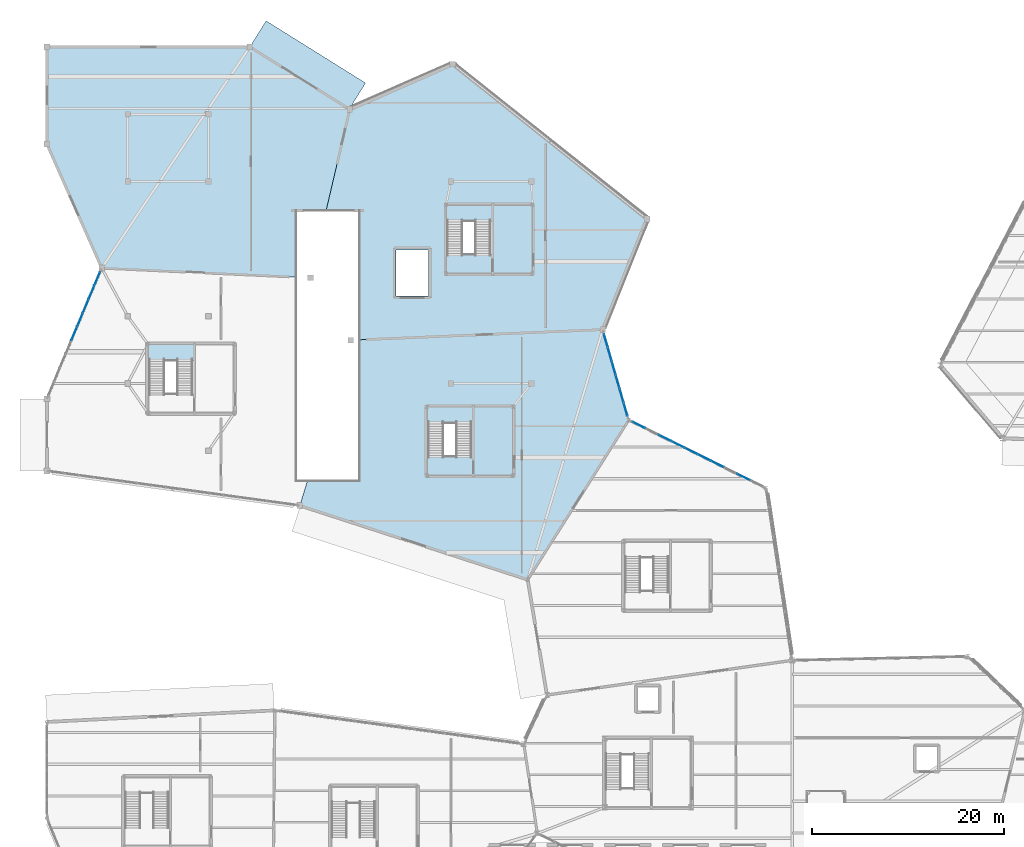
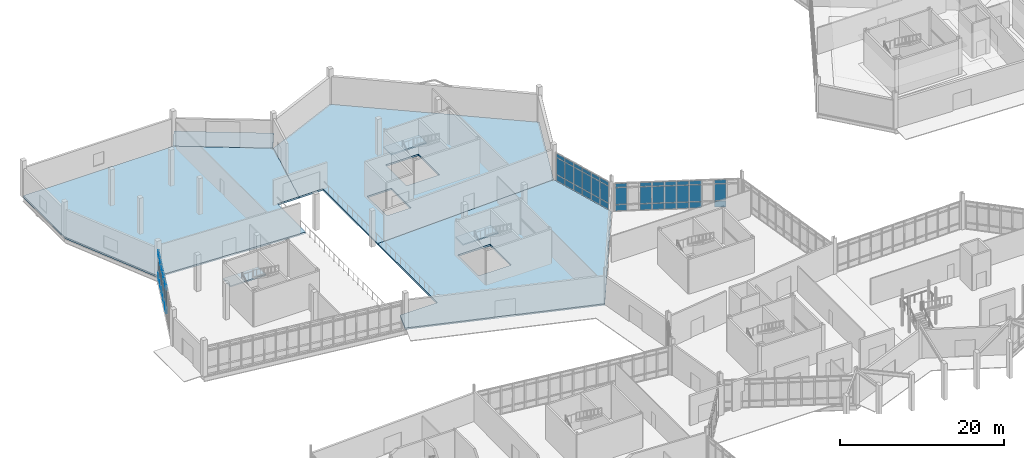
# One storey, part 76 of 113: 54 plates, 7 slabs, 6 elements without a shape of their own.
"""IFC4 building model written with IfcOpenShell, lengths in metres."""

from ifc_helpers import new_model, si_unit, direction, frame, origin, origin_2d, place, context, subcontext, project, spatial, polyline, rectangle, outline, extrude, material, layer, layer_set, type_object, element, aggregate, save


model = new_model("IFC4")

# Units and contexts
model_context = context("Model", 3, precision=1e-05, world=origin(), true_north=direction((0.0, 1.0)))
body_context = subcontext(model_context, "Body", "Model", "MODEL_VIEW")
ifc_project = project(units=[si_unit("LENGTHUNIT", "METRE"), si_unit("AREAUNIT", "SQUARE_METRE"), si_unit("VOLUMEUNIT", "CUBIC_METRE"), si_unit("PLANEANGLEUNIT", "RADIAN"), si_unit("MASSUNIT", "GRAM", prefix="KILO")], contexts=[model_context])

# Site, building, storey
site_placement = place(None, origin())
site = spatial("IfcSite", under=ifc_project, at=site_placement, CompositionType="ELEMENT")
building_placement = place(site_placement, origin())
building = spatial("IfcBuilding", under=site, at=building_placement, Name="Tameran Prism Museum", CompositionType="ELEMENT")
storey_placement = place(building_placement, origin())
storey = spatial("IfcBuildingStorey", under=building, at=storey_placement, Name="L00", CompositionType="ELEMENT", Elevation=0.0)

# Curtain wall, plates
ifc_material_1 = material(Name="Anodised Aluminium 6063-T6 and Cyclone Solar Glass", Category="aluminium")
curtain_wall_type_1 = type_object("IfcCurtainWallType", Name="CW-FAC-1520x422", PredefinedType="USERDEFINED", material=ifc_material_1)
curtain_wall_1_placement = place(storey_placement, origin())
curtain_wall_1 = element("IfcCurtainWall", 1, at=curtain_wall_1_placement, inside=storey, type_object=curtain_wall_type_1, Name="Unitised Curtain Wall CW-034", ObjectType="UNITISED CURTAIN WALL", PredefinedType="USERDEFINED")
ifc_material_2 = material(Name="Cyclone Laminated Solar Glass", Category="glass")
ifc_layer_1 = layer(ifc_material_2, 0.031982421875)
ifc_layer_set_1 = layer_set([ifc_layer_1])
plate_type = type_object("IfcPlateType", Name="CW-PNL-G32", PredefinedType="CURTAIN_PANEL", material=ifc_layer_set_1)
plate_1_placement = place(storey_placement, frame((61.56591796875, 72.670166015625, 0.080078125), z_axis=(0.0, 0.0, 1.0), x_axis=(0.895712459966, -0.444633769593, 0.0)))
plate_1 = element("IfcPlate", 2, at=plate_1_placement, type_object=plate_type, Name="CW-034 panel 1.1", PredefinedType="CURTAIN_PANEL", context=body_context, shape_type="SweptSolid", body=[
    extrude(rectangle(XDim=1.400634765625, YDim=0.031982421875, at=origin_2d()), origin(), (0.0, 0.0, 1.0), 0.8798828125),
])
plate_2_placement = place(storey_placement, frame((61.56591796875, 72.670166015625, 1.0400390625), z_axis=(0.0, 0.0, 1.0), x_axis=(0.895712459966, -0.444633769593, 0.0)))
plate_2 = element("IfcPlate", 3, at=plate_2_placement, type_object=plate_type, Name="CW-034 panel 1.2", PredefinedType="CURTAIN_PANEL", context=body_context, shape_type="SweptSolid", body=[
    extrude(rectangle(XDim=1.400634765625, YDim=0.031982421875, at=origin_2d()), origin(), (0.0, 0.0, 1.0), 2.4599609375),
])
plate_3_placement = place(storey_placement, frame((61.56591796875, 72.670166015625, 3.580078125), z_axis=(0.0, 0.0, 1.0), x_axis=(0.895712459966, -0.444633769593, 0.0)))
plate_3 = element("IfcPlate", 4, at=plate_3_placement, type_object=plate_type, Name="CW-034 panel 1.3", PredefinedType="CURTAIN_PANEL", context=body_context, shape_type="SweptSolid", body=[
    extrude(rectangle(XDim=1.400634765625, YDim=0.031982421875, at=origin_2d()), origin(), (0.0, 0.0, 1.0), 0.56005859375),
])
plate_4_placement = place(storey_placement, frame((64.27197265625, 71.32666015625, 0.080078125), z_axis=(0.0, 0.0, 1.0), x_axis=(0.895712459966, -0.444633769593, 0.0)))
plate_4 = element("IfcPlate", 5, at=plate_4_placement, type_object=plate_type, Name="CW-034 panel 3.1", PredefinedType="CURTAIN_PANEL", context=body_context, shape_type="SweptSolid", body=[
    extrude(rectangle(XDim=1.440673828125, YDim=0.031982421875, at=origin_2d()), origin(), (0.0, 0.0, 1.0), 0.8798828125),
])
plate_5_placement = place(storey_placement, frame((64.27197265625, 71.32666015625, 1.0400390625), z_axis=(0.0, 0.0, 1.0), x_axis=(0.895712459966, -0.444633769593, 0.0)))
plate_5 = element("IfcPlate", 6, at=plate_5_placement, type_object=plate_type, Name="CW-034 panel 3.2", PredefinedType="CURTAIN_PANEL", context=body_context, shape_type="SweptSolid", body=[
    extrude(rectangle(XDim=1.440673828125, YDim=0.031982421875, at=origin_2d()), origin(), (0.0, 0.0, 1.0), 2.4599609375),
])
plate_6_placement = place(storey_placement, frame((64.27197265625, 71.32666015625, 3.580078125), z_axis=(0.0, 0.0, 1.0), x_axis=(0.895712459966, -0.444633769593, 0.0)))
plate_6 = element("IfcPlate", 7, at=plate_6_placement, type_object=plate_type, Name="CW-034 panel 3.3", PredefinedType="CURTAIN_PANEL", context=body_context, shape_type="SweptSolid", body=[
    extrude(rectangle(XDim=1.440673828125, YDim=0.031982421875, at=origin_2d()), origin(), (0.0, 0.0, 1.0), 0.56005859375),
])
plate_7_placement = place(storey_placement, frame((65.634033203125, 70.650634765625, 0.080078125), z_axis=(0.0, 0.0, 1.0), x_axis=(0.895712459966, -0.444633769593, 0.0)))
plate_7 = element("IfcPlate", 8, at=plate_7_placement, type_object=plate_type, Name="CW-034 panel 4.1", PredefinedType="CURTAIN_PANEL", context=body_context, shape_type="SweptSolid", body=[
    extrude(rectangle(XDim=1.440673828125, YDim=0.031982421875, at=origin_2d()), origin(), (0.0, 0.0, 1.0), 0.8798828125),
])
plate_8_placement = place(storey_placement, frame((65.634033203125, 70.650634765625, 1.0400390625), z_axis=(0.0, 0.0, 1.0), x_axis=(0.895712459966, -0.444633769593, 0.0)))
plate_8 = element("IfcPlate", 9, at=plate_8_placement, type_object=plate_type, Name="CW-034 panel 4.2", PredefinedType="CURTAIN_PANEL", context=body_context, shape_type="SweptSolid", body=[
    extrude(rectangle(XDim=1.440673828125, YDim=0.031982421875, at=origin_2d()), origin(), (0.0, 0.0, 1.0), 2.4599609375),
])
plate_9_placement = place(storey_placement, frame((65.634033203125, 70.650634765625, 3.580078125), z_axis=(0.0, 0.0, 1.0), x_axis=(0.895712459966, -0.444633769593, 0.0)))
plate_9 = element("IfcPlate", 10, at=plate_9_placement, type_object=plate_type, Name="CW-034 panel 4.3", PredefinedType="CURTAIN_PANEL", context=body_context, shape_type="SweptSolid", body=[
    extrude(rectangle(XDim=1.440673828125, YDim=0.031982421875, at=origin_2d()), origin(), (0.0, 0.0, 1.0), 0.56005859375),
])
plate_10_placement = place(storey_placement, frame((66.99609375, 69.974609375, 0.080078125), z_axis=(0.0, 0.0, 1.0), x_axis=(0.895712459966, -0.444633769593, 0.0)))
plate_10 = element("IfcPlate", 11, at=plate_10_placement, type_object=plate_type, Name="CW-034 panel 5.1", PredefinedType="CURTAIN_PANEL", context=body_context, shape_type="SweptSolid", body=[
    extrude(rectangle(XDim=1.440673828125, YDim=0.031982421875, at=origin_2d()), origin(), (0.0, 0.0, 1.0), 0.8798828125),
])
plate_11_placement = place(storey_placement, frame((66.99609375, 69.974609375, 1.0400390625), z_axis=(0.0, 0.0, 1.0), x_axis=(0.895712459966, -0.444633769593, 0.0)))
plate_11 = element("IfcPlate", 12, at=plate_11_placement, type_object=plate_type, Name="CW-034 panel 5.2", PredefinedType="CURTAIN_PANEL", context=body_context, shape_type="SweptSolid", body=[
    extrude(rectangle(XDim=1.440673828125, YDim=0.031982421875, at=origin_2d()), origin(), (0.0, 0.0, 1.0), 2.4599609375),
])
plate_12_placement = place(storey_placement, frame((66.99609375, 69.974609375, 3.580078125), z_axis=(0.0, 0.0, 1.0), x_axis=(0.895712459966, -0.444633769593, 0.0)))
plate_12 = element("IfcPlate", 13, at=plate_12_placement, type_object=plate_type, Name="CW-034 panel 5.3", PredefinedType="CURTAIN_PANEL", context=body_context, shape_type="SweptSolid", body=[
    extrude(rectangle(XDim=1.440673828125, YDim=0.031982421875, at=origin_2d()), origin(), (0.0, 0.0, 1.0), 0.56005859375),
])
plate_13_placement = place(storey_placement, frame((68.35791015625, 69.29833984375, 0.080078125), z_axis=(0.0, 0.0, 1.0), x_axis=(0.895712459966, -0.444633769593, 0.0)))
plate_13 = element("IfcPlate", 14, at=plate_13_placement, type_object=plate_type, Name="CW-034 panel 6.1", PredefinedType="CURTAIN_PANEL", context=body_context, shape_type="SweptSolid", body=[
    extrude(rectangle(XDim=1.440673828125, YDim=0.031982421875, at=origin_2d()), origin(), (0.0, 0.0, 1.0), 0.8798828125),
])
plate_14_placement = place(storey_placement, frame((68.35791015625, 69.29833984375, 1.0400390625), z_axis=(0.0, 0.0, 1.0), x_axis=(0.895712459966, -0.444633769593, 0.0)))
plate_14 = element("IfcPlate", 15, at=plate_14_placement, type_object=plate_type, Name="CW-034 panel 6.2", PredefinedType="CURTAIN_PANEL", context=body_context, shape_type="SweptSolid", body=[
    extrude(rectangle(XDim=1.440673828125, YDim=0.031982421875, at=origin_2d()), origin(), (0.0, 0.0, 1.0), 2.4599609375),
])
plate_15_placement = place(storey_placement, frame((68.35791015625, 69.29833984375, 3.580078125), z_axis=(0.0, 0.0, 1.0), x_axis=(0.895712459966, -0.444633769593, 0.0)))
plate_15 = element("IfcPlate", 16, at=plate_15_placement, type_object=plate_type, Name="CW-034 panel 6.3", PredefinedType="CURTAIN_PANEL", context=body_context, shape_type="SweptSolid", body=[
    extrude(rectangle(XDim=1.440673828125, YDim=0.031982421875, at=origin_2d()), origin(), (0.0, 0.0, 1.0), 0.56005859375),
])
plate_16_placement = place(storey_placement, frame((69.719970703125, 68.622314453125, 0.080078125), z_axis=(0.0, 0.0, 1.0), x_axis=(0.895712459966, -0.444633769593, 0.0)))
plate_16 = element("IfcPlate", 17, at=plate_16_placement, type_object=plate_type, Name="CW-034 panel 7.1", PredefinedType="CURTAIN_PANEL", context=body_context, shape_type="SweptSolid", body=[
    extrude(rectangle(XDim=1.440673828125, YDim=0.031982421875, at=origin_2d()), origin(), (0.0, 0.0, 1.0), 0.8798828125),
])
plate_17_placement = place(storey_placement, frame((69.719970703125, 68.622314453125, 1.0400390625), z_axis=(0.0, 0.0, 1.0), x_axis=(0.895712459966, -0.444633769593, 0.0)))
plate_17 = element("IfcPlate", 18, at=plate_17_placement, type_object=plate_type, Name="CW-034 panel 7.2", PredefinedType="CURTAIN_PANEL", context=body_context, shape_type="SweptSolid", body=[
    extrude(rectangle(XDim=1.440673828125, YDim=0.031982421875, at=origin_2d()), origin(), (0.0, 0.0, 1.0), 2.4599609375),
])
plate_18_placement = place(storey_placement, frame((69.719970703125, 68.622314453125, 3.580078125), z_axis=(0.0, 0.0, 1.0), x_axis=(0.895712459966, -0.444633769593, 0.0)))
plate_18 = element("IfcPlate", 19, at=plate_18_placement, type_object=plate_type, Name="CW-034 panel 7.3", PredefinedType="CURTAIN_PANEL", context=body_context, shape_type="SweptSolid", body=[
    extrude(rectangle(XDim=1.440673828125, YDim=0.031982421875, at=origin_2d()), origin(), (0.0, 0.0, 1.0), 0.56005859375),
])
plate_19_placement = place(storey_placement, frame((72.444091796875, 67.270263671875, 0.080078125), z_axis=(0.0, 0.0, 1.0), x_axis=(0.895712459966, -0.444633769593, 0.0)))
plate_19 = element("IfcPlate", 20, at=plate_19_placement, type_object=plate_type, Name="CW-034 panel 9.1", PredefinedType="CURTAIN_PANEL", context=body_context, shape_type="SweptSolid", body=[
    extrude(rectangle(XDim=1.440673828125, YDim=0.031982421875, at=origin_2d()), origin(), (0.0, 0.0, 1.0), 0.8798828125),
])
plate_20_placement = place(storey_placement, frame((72.444091796875, 67.270263671875, 1.0400390625), z_axis=(0.0, 0.0, 1.0), x_axis=(0.895712459966, -0.444633769593, 0.0)))
plate_20 = element("IfcPlate", 21, at=plate_20_placement, type_object=plate_type, Name="CW-034 panel 9.2", PredefinedType="CURTAIN_PANEL", context=body_context, shape_type="SweptSolid", body=[
    extrude(rectangle(XDim=1.440673828125, YDim=0.031982421875, at=origin_2d()), origin(), (0.0, 0.0, 1.0), 2.4599609375),
])
plate_21_placement = place(storey_placement, frame((72.444091796875, 67.270263671875, 3.580078125), z_axis=(0.0, 0.0, 1.0), x_axis=(0.895712459966, -0.444633769593, 0.0)))
plate_21 = element("IfcPlate", 22, at=plate_21_placement, type_object=plate_type, Name="CW-034 panel 9.3", PredefinedType="CURTAIN_PANEL", context=body_context, shape_type="SweptSolid", body=[
    extrude(rectangle(XDim=1.440673828125, YDim=0.031982421875, at=origin_2d()), origin(), (0.0, 0.0, 1.0), 0.56005859375),
])
aggregate(curtain_wall_1, [plate_1, plate_2, plate_3, plate_4, plate_5, plate_6, plate_7, plate_8, plate_9, plate_10, plate_11, plate_12, plate_13, plate_14, plate_15, plate_16, plate_17, plate_18, plate_19, plate_20, plate_21])

ifc_material_3 = material(Name="Anodised Aluminium 6063-T6 and Cyclone Solar Glass", Category="aluminium")
curtain_wall_type_2 = type_object("IfcCurtainWallType", Name="CW-FAC-896x422", PredefinedType="USERDEFINED", material=ifc_material_3)
curtain_wall_2_placement = place(storey_placement, origin())
curtain_wall_2 = element("IfcCurtainWall", 23, at=curtain_wall_2_placement, inside=storey, type_object=curtain_wall_type_2, Name="Unitised Curtain Wall CW-050", ObjectType="UNITISED CURTAIN WALL", PredefinedType="USERDEFINED")
plate_22_placement = place(storey_placement, frame((58.12548828125, 81.468994140625, 0.080078125), z_axis=(0.0, 0.0, 1.0), x_axis=(0.275900197941, -0.961186288279, 0.0)))
plate_22 = element("IfcPlate", 24, at=plate_22_placement, type_object=plate_type, Name="CW-050 panel 1.1", PredefinedType="CURTAIN_PANEL", context=body_context, shape_type="SweptSolid", body=[
    extrude(rectangle(XDim=1.373291015625, YDim=0.031982421875, at=origin_2d()), origin(), (0.0, 0.0, 1.0), 0.8798828125),
])
plate_23_placement = place(storey_placement, frame((58.12548828125, 81.468994140625, 1.0400390625), z_axis=(0.0, 0.0, 1.0), x_axis=(0.275900197941, -0.961186288279, 0.0)))
plate_23 = element("IfcPlate", 25, at=plate_23_placement, type_object=plate_type, Name="CW-050 panel 1.2", PredefinedType="CURTAIN_PANEL", context=body_context, shape_type="SweptSolid", body=[
    extrude(rectangle(XDim=1.373291015625, YDim=0.031982421875, at=origin_2d()), origin(), (0.0, 0.0, 1.0), 2.4599609375),
])
plate_24_placement = place(storey_placement, frame((58.12548828125, 81.468994140625, 3.580078125), z_axis=(0.0, 0.0, 1.0), x_axis=(0.275900197941, -0.961186288279, 0.0)))
plate_24 = element("IfcPlate", 26, at=plate_24_placement, type_object=plate_type, Name="CW-050 panel 1.3", PredefinedType="CURTAIN_PANEL", context=body_context, shape_type="SweptSolid", body=[
    extrude(rectangle(XDim=1.373291015625, YDim=0.031982421875, at=origin_2d()), origin(), (0.0, 0.0, 1.0), 0.56005859375),
])
plate_25_placement = place(storey_placement, frame((58.531982421875, 80.052978515625, 0.080078125), z_axis=(0.0, 0.0, 1.0), x_axis=(0.275900197941, -0.961186288279, 0.0)))
plate_25 = element("IfcPlate", 27, at=plate_25_placement, type_object=plate_type, Name="CW-050 panel 2.1", PredefinedType="CURTAIN_PANEL", context=body_context, shape_type="SweptSolid", body=[
    extrude(rectangle(XDim=1.413330078125, YDim=0.031982421875, at=origin_2d()), origin(), (0.0, 0.0, 1.0), 0.8798828125),
])
plate_26_placement = place(storey_placement, frame((58.531982421875, 80.052978515625, 1.0400390625), z_axis=(0.0, 0.0, 1.0), x_axis=(0.275900197941, -0.961186288279, 0.0)))
plate_26 = element("IfcPlate", 28, at=plate_26_placement, type_object=plate_type, Name="CW-050 panel 2.2", PredefinedType="CURTAIN_PANEL", context=body_context, shape_type="SweptSolid", body=[
    extrude(rectangle(XDim=1.413330078125, YDim=0.031982421875, at=origin_2d()), origin(), (0.0, 0.0, 1.0), 2.4599609375),
])
plate_27_placement = place(storey_placement, frame((58.531982421875, 80.052978515625, 3.580078125), z_axis=(0.0, 0.0, 1.0), x_axis=(0.275900197941, -0.961186288279, 0.0)))
plate_27 = element("IfcPlate", 29, at=plate_27_placement, type_object=plate_type, Name="CW-050 panel 2.3", PredefinedType="CURTAIN_PANEL", context=body_context, shape_type="SweptSolid", body=[
    extrude(rectangle(XDim=1.413330078125, YDim=0.031982421875, at=origin_2d()), origin(), (0.0, 0.0, 1.0), 0.56005859375),
])
plate_28_placement = place(storey_placement, frame((58.944091796875, 78.61767578125, 0.080078125), z_axis=(0.0, 0.0, 1.0), x_axis=(0.275900197941, -0.961186288279, 0.0)))
plate_28 = element("IfcPlate", 30, at=plate_28_placement, type_object=plate_type, Name="CW-050 panel 3.1", PredefinedType="CURTAIN_PANEL", context=body_context, shape_type="SweptSolid", body=[
    extrude(rectangle(XDim=1.413330078125, YDim=0.031982421875, at=origin_2d()), origin(), (0.0, 0.0, 1.0), 0.8798828125),
])
plate_29_placement = place(storey_placement, frame((58.944091796875, 78.61767578125, 1.0400390625), z_axis=(0.0, 0.0, 1.0), x_axis=(0.275900197941, -0.961186288279, 0.0)))
plate_29 = element("IfcPlate", 31, at=plate_29_placement, type_object=plate_type, Name="CW-050 panel 3.2", PredefinedType="CURTAIN_PANEL", context=body_context, shape_type="SweptSolid", body=[
    extrude(rectangle(XDim=1.413330078125, YDim=0.031982421875, at=origin_2d()), origin(), (0.0, 0.0, 1.0), 2.4599609375),
])
plate_30_placement = place(storey_placement, frame((58.944091796875, 78.61767578125, 3.580078125), z_axis=(0.0, 0.0, 1.0), x_axis=(0.275900197941, -0.961186288279, 0.0)))
plate_30 = element("IfcPlate", 32, at=plate_30_placement, type_object=plate_type, Name="CW-050 panel 3.3", PredefinedType="CURTAIN_PANEL", context=body_context, shape_type="SweptSolid", body=[
    extrude(rectangle(XDim=1.413330078125, YDim=0.031982421875, at=origin_2d()), origin(), (0.0, 0.0, 1.0), 0.56005859375),
])
plate_31_placement = place(storey_placement, frame((59.35595703125, 77.182373046875, 0.080078125), z_axis=(0.0, 0.0, 1.0), x_axis=(0.275900197941, -0.961186288279, 0.0)))
plate_31 = element("IfcPlate", 33, at=plate_31_placement, type_object=plate_type, Name="CW-050 panel 4.1", PredefinedType="CURTAIN_PANEL", context=body_context, shape_type="SweptSolid", body=[
    extrude(rectangle(XDim=1.413330078125, YDim=0.031982421875, at=origin_2d()), origin(), (0.0, 0.0, 1.0), 0.8798828125),
])
plate_32_placement = place(storey_placement, frame((59.35595703125, 77.182373046875, 1.0400390625), z_axis=(0.0, 0.0, 1.0), x_axis=(0.275900197941, -0.961186288279, 0.0)))
plate_32 = element("IfcPlate", 34, at=plate_32_placement, type_object=plate_type, Name="CW-050 panel 4.2", PredefinedType="CURTAIN_PANEL", context=body_context, shape_type="SweptSolid", body=[
    extrude(rectangle(XDim=1.413330078125, YDim=0.031982421875, at=origin_2d()), origin(), (0.0, 0.0, 1.0), 2.4599609375),
])
plate_33_placement = place(storey_placement, frame((59.35595703125, 77.182373046875, 3.580078125), z_axis=(0.0, 0.0, 1.0), x_axis=(0.275900197941, -0.961186288279, 0.0)))
plate_33 = element("IfcPlate", 35, at=plate_33_placement, type_object=plate_type, Name="CW-050 panel 4.3", PredefinedType="CURTAIN_PANEL", context=body_context, shape_type="SweptSolid", body=[
    extrude(rectangle(XDim=1.413330078125, YDim=0.031982421875, at=origin_2d()), origin(), (0.0, 0.0, 1.0), 0.56005859375),
])
plate_34_placement = place(storey_placement, frame((59.76806640625, 75.7470703125, 0.080078125), z_axis=(0.0, 0.0, 1.0), x_axis=(0.275900197941, -0.961186288279, 0.0)))
plate_34 = element("IfcPlate", 36, at=plate_34_placement, type_object=plate_type, Name="CW-050 panel 5.1", PredefinedType="CURTAIN_PANEL", context=body_context, shape_type="SweptSolid", body=[
    extrude(rectangle(XDim=1.413330078125, YDim=0.031982421875, at=origin_2d()), origin(), (0.0, 0.0, 1.0), 0.8798828125),
])
plate_35_placement = place(storey_placement, frame((59.76806640625, 75.7470703125, 1.0400390625), z_axis=(0.0, 0.0, 1.0), x_axis=(0.275900197941, -0.961186288279, 0.0)))
plate_35 = element("IfcPlate", 37, at=plate_35_placement, type_object=plate_type, Name="CW-050 panel 5.2", PredefinedType="CURTAIN_PANEL", context=body_context, shape_type="SweptSolid", body=[
    extrude(rectangle(XDim=1.413330078125, YDim=0.031982421875, at=origin_2d()), origin(), (0.0, 0.0, 1.0), 2.4599609375),
])
plate_36_placement = place(storey_placement, frame((59.76806640625, 75.7470703125, 3.580078125), z_axis=(0.0, 0.0, 1.0), x_axis=(0.275900197941, -0.961186288279, 0.0)))
plate_36 = element("IfcPlate", 38, at=plate_36_placement, type_object=plate_type, Name="CW-050 panel 5.3", PredefinedType="CURTAIN_PANEL", context=body_context, shape_type="SweptSolid", body=[
    extrude(rectangle(XDim=1.413330078125, YDim=0.031982421875, at=origin_2d()), origin(), (0.0, 0.0, 1.0), 0.56005859375),
])
plate_37_placement = place(storey_placement, frame((60.174560546875, 74.330810546875, 0.080078125), z_axis=(0.0, 0.0, 1.0), x_axis=(0.275900197941, -0.961186288279, 0.0)))
plate_37 = element("IfcPlate", 39, at=plate_37_placement, type_object=plate_type, Name="CW-050 panel 6.1", PredefinedType="CURTAIN_PANEL", context=body_context, shape_type="SweptSolid", body=[
    extrude(rectangle(XDim=1.373291015625, YDim=0.031982421875, at=origin_2d()), origin(), (0.0, 0.0, 1.0), 0.8798828125),
])
plate_38_placement = place(storey_placement, frame((60.174560546875, 74.330810546875, 1.0400390625), z_axis=(0.0, 0.0, 1.0), x_axis=(0.275900197941, -0.961186288279, 0.0)))
plate_38 = element("IfcPlate", 40, at=plate_38_placement, type_object=plate_type, Name="CW-050 panel 6.2", PredefinedType="CURTAIN_PANEL", context=body_context, shape_type="SweptSolid", body=[
    extrude(rectangle(XDim=1.373291015625, YDim=0.031982421875, at=origin_2d()), origin(), (0.0, 0.0, 1.0), 2.4599609375),
])
plate_39_placement = place(storey_placement, frame((60.174560546875, 74.330810546875, 3.580078125), z_axis=(0.0, 0.0, 1.0), x_axis=(0.275900197941, -0.961186288279, 0.0)))
plate_39 = element("IfcPlate", 41, at=plate_39_placement, type_object=plate_type, Name="CW-050 panel 6.3", PredefinedType="CURTAIN_PANEL", context=body_context, shape_type="SweptSolid", body=[
    extrude(rectangle(XDim=1.373291015625, YDim=0.031982421875, at=origin_2d()), origin(), (0.0, 0.0, 1.0), 0.56005859375),
])
aggregate(curtain_wall_2, [plate_22, plate_23, plate_24, plate_25, plate_26, plate_27, plate_28, plate_29, plate_30, plate_31, plate_32, plate_33, plate_34, plate_35, plate_36, plate_37, plate_38, plate_39])

ifc_material_4 = material(Name="Anodised Aluminium 6063-T6 and Cyclone Solar Glass", Category="aluminium")
curtain_wall_type_3 = type_object("IfcCurtainWallType", Name="CW-FAC-1399x422", PredefinedType="USERDEFINED", material=ifc_material_4)
curtain_wall_3_placement = place(storey_placement, origin())
curtain_wall_3 = element("IfcCurtainWall", 42, at=curtain_wall_3_placement, inside=storey, type_object=curtain_wall_type_3, Name="Unitised Curtain Wall CW-052", ObjectType="UNITISED CURTAIN WALL", PredefinedType="USERDEFINED")
plate_40_placement = place(storey_placement, frame((2.83837890625, 82.172607421875, 0.070068359375), z_axis=(0.0, 0.0, 1.0), x_axis=(0.386589370609, 0.922251949595, 0.0)))
plate_40 = element("IfcPlate", 43, at=plate_40_placement, type_object=plate_type, Name="CW-052 panel 5.1", PredefinedType="CURTAIN_PANEL", context=body_context, shape_type="SweptSolid", body=[
    extrude(rectangle(XDim=1.484130859375, YDim=0.031982421875, at=origin_2d()), origin(), (0.0, 0.0, 1.0), 0.89501953125),
])
plate_41_placement = place(storey_placement, frame((2.83837890625, 82.172607421875, 1.03515625), z_axis=(0.0, 0.0, 1.0), x_axis=(0.386589370609, 0.922251949595, 0.0)))
plate_41 = element("IfcPlate", 44, at=plate_41_placement, type_object=plate_type, Name="CW-052 panel 5.2", PredefinedType="CURTAIN_PANEL", context=body_context, shape_type="SweptSolid", body=[
    extrude(rectangle(XDim=1.484130859375, YDim=0.031982421875, at=origin_2d()), origin(), (0.0, 0.0, 1.0), 2.469970703125),
])
plate_42_placement = place(storey_placement, frame((2.83837890625, 82.172607421875, 3.5751953125), z_axis=(0.0, 0.0, 1.0), x_axis=(0.386589370609, 0.922251949595, 0.0)))
plate_42 = element("IfcPlate", 45, at=plate_42_placement, type_object=plate_type, Name="CW-052 panel 5.3", PredefinedType="CURTAIN_PANEL", context=body_context, shape_type="SweptSolid", body=[
    extrude(rectangle(XDim=1.484130859375, YDim=0.031982421875, at=origin_2d()), origin(), (0.0, 0.0, 1.0), 0.574951171875),
])
plate_43_placement = place(storey_placement, frame((3.439208984375, 83.605712890625, 0.070068359375), z_axis=(0.0, 0.0, 1.0), x_axis=(0.386589370609, 0.922251949595, 0.0)))
plate_43 = element("IfcPlate", 46, at=plate_43_placement, type_object=plate_type, Name="CW-052 panel 6.1", PredefinedType="CURTAIN_PANEL", context=body_context, shape_type="SweptSolid", body=[
    extrude(rectangle(XDim=1.484130859375, YDim=0.031982421875, at=origin_2d()), origin(), (0.0, 0.0, 1.0), 0.89501953125),
])
plate_44_placement = place(storey_placement, frame((3.439208984375, 83.605712890625, 1.03515625), z_axis=(0.0, 0.0, 1.0), x_axis=(0.386589370609, 0.922251949595, 0.0)))
plate_44 = element("IfcPlate", 47, at=plate_44_placement, type_object=plate_type, Name="CW-052 panel 6.2", PredefinedType="CURTAIN_PANEL", context=body_context, shape_type="SweptSolid", body=[
    extrude(rectangle(XDim=1.484130859375, YDim=0.031982421875, at=origin_2d()), origin(), (0.0, 0.0, 1.0), 2.469970703125),
])
plate_45_placement = place(storey_placement, frame((3.439208984375, 83.605712890625, 3.5751953125), z_axis=(0.0, 0.0, 1.0), x_axis=(0.386589370609, 0.922251949595, 0.0)))
plate_45 = element("IfcPlate", 48, at=plate_45_placement, type_object=plate_type, Name="CW-052 panel 6.3", PredefinedType="CURTAIN_PANEL", context=body_context, shape_type="SweptSolid", body=[
    extrude(rectangle(XDim=1.484130859375, YDim=0.031982421875, at=origin_2d()), origin(), (0.0, 0.0, 1.0), 0.574951171875),
])
plate_46_placement = place(storey_placement, frame((4.0400390625, 85.0390625, 0.070068359375), z_axis=(0.0, 0.0, 1.0), x_axis=(0.386589370609, 0.922251949595, 0.0)))
plate_46 = element("IfcPlate", 49, at=plate_46_placement, type_object=plate_type, Name="CW-052 panel 7.1", PredefinedType="CURTAIN_PANEL", context=body_context, shape_type="SweptSolid", body=[
    extrude(rectangle(XDim=1.484130859375, YDim=0.031982421875, at=origin_2d()), origin(), (0.0, 0.0, 1.0), 0.89501953125),
])
plate_47_placement = place(storey_placement, frame((4.0400390625, 85.0390625, 1.03515625), z_axis=(0.0, 0.0, 1.0), x_axis=(0.386589370609, 0.922251949595, 0.0)))
plate_47 = element("IfcPlate", 50, at=plate_47_placement, type_object=plate_type, Name="CW-052 panel 7.2", PredefinedType="CURTAIN_PANEL", context=body_context, shape_type="SweptSolid", body=[
    extrude(rectangle(XDim=1.484130859375, YDim=0.031982421875, at=origin_2d()), origin(), (0.0, 0.0, 1.0), 2.469970703125),
])
plate_48_placement = place(storey_placement, frame((4.0400390625, 85.0390625, 3.5751953125), z_axis=(0.0, 0.0, 1.0), x_axis=(0.386589370609, 0.922251949595, 0.0)))
plate_48 = element("IfcPlate", 51, at=plate_48_placement, type_object=plate_type, Name="CW-052 panel 7.3", PredefinedType="CURTAIN_PANEL", context=body_context, shape_type="SweptSolid", body=[
    extrude(rectangle(XDim=1.484130859375, YDim=0.031982421875, at=origin_2d()), origin(), (0.0, 0.0, 1.0), 0.574951171875),
])
plate_49_placement = place(storey_placement, frame((4.640869140625, 86.47216796875, 0.070068359375), z_axis=(0.0, 0.0, 1.0), x_axis=(0.386589370609, 0.922251949595, 0.0)))
plate_49 = element("IfcPlate", 52, at=plate_49_placement, type_object=plate_type, Name="CW-052 panel 8.1", PredefinedType="CURTAIN_PANEL", context=body_context, shape_type="SweptSolid", body=[
    extrude(rectangle(XDim=1.484130859375, YDim=0.031982421875, at=origin_2d()), origin(), (0.0, 0.0, 1.0), 0.89501953125),
])
plate_50_placement = place(storey_placement, frame((4.640869140625, 86.47216796875, 1.03515625), z_axis=(0.0, 0.0, 1.0), x_axis=(0.386589370609, 0.922251949595, 0.0)))
plate_50 = element("IfcPlate", 53, at=plate_50_placement, type_object=plate_type, Name="CW-052 panel 8.2", PredefinedType="CURTAIN_PANEL", context=body_context, shape_type="SweptSolid", body=[
    extrude(rectangle(XDim=1.484130859375, YDim=0.031982421875, at=origin_2d()), origin(), (0.0, 0.0, 1.0), 2.469970703125),
])
plate_51_placement = place(storey_placement, frame((4.640869140625, 86.47216796875, 3.5751953125), z_axis=(0.0, 0.0, 1.0), x_axis=(0.386589370609, 0.922251949595, 0.0)))
plate_51 = element("IfcPlate", 54, at=plate_51_placement, type_object=plate_type, Name="CW-052 panel 8.3", PredefinedType="CURTAIN_PANEL", context=body_context, shape_type="SweptSolid", body=[
    extrude(rectangle(XDim=1.484130859375, YDim=0.031982421875, at=origin_2d()), origin(), (0.0, 0.0, 1.0), 0.574951171875),
])
plate_52_placement = place(storey_placement, frame((5.23486328125, 87.88916015625, 0.070068359375), z_axis=(0.0, 0.0, 1.0), x_axis=(0.386589370609, 0.922251949595, 0.0)))
plate_52 = element("IfcPlate", 55, at=plate_52_placement, type_object=plate_type, Name="CW-052 panel 9.1", PredefinedType="CURTAIN_PANEL", context=body_context, shape_type="SweptSolid", body=[
    extrude(rectangle(XDim=1.448974609375, YDim=0.031982421875, at=origin_2d()), origin(), (0.0, 0.0, 1.0), 0.89501953125),
])
plate_53_placement = place(storey_placement, frame((5.23486328125, 87.88916015625, 1.03515625), z_axis=(0.0, 0.0, 1.0), x_axis=(0.386589370609, 0.922251949595, 0.0)))
plate_53 = element("IfcPlate", 56, at=plate_53_placement, type_object=plate_type, Name="CW-052 panel 9.2", PredefinedType="CURTAIN_PANEL", context=body_context, shape_type="SweptSolid", body=[
    extrude(rectangle(XDim=1.448974609375, YDim=0.031982421875, at=origin_2d()), origin(), (0.0, 0.0, 1.0), 2.469970703125),
])
plate_54_placement = place(storey_placement, frame((5.23486328125, 87.88916015625, 3.5751953125), z_axis=(0.0, 0.0, 1.0), x_axis=(0.386589370609, 0.922251949595, 0.0)))
plate_54 = element("IfcPlate", 57, at=plate_54_placement, type_object=plate_type, Name="CW-052 panel 9.3", PredefinedType="CURTAIN_PANEL", context=body_context, shape_type="SweptSolid", body=[
    extrude(rectangle(XDim=1.448974609375, YDim=0.031982421875, at=origin_2d()), origin(), (0.0, 0.0, 1.0), 0.574951171875),
])
aggregate(curtain_wall_3, [plate_40, plate_41, plate_42, plate_43, plate_44, plate_45, plate_46, plate_47, plate_48, plate_49, plate_50, plate_51, plate_52, plate_53, plate_54])

# Slabs
ifc_material_5 = material(Name="Concrete N40 (40 MPa)", Category="concrete")
ifc_layer_2 = layer(ifc_material_5, 0.260009765625)
ifc_layer_set_2 = layer_set([ifc_layer_2])
slab_type_1 = type_object("IfcSlabType", Name="SL-FLR-260", PredefinedType="FLOOR", material=ifc_layer_set_2)
slab_1_placement = place(storey_placement, frame((0.0, 0.0, -0.260009765625)))
element("IfcSlab", 58, at=slab_1_placement, inside=storey, type_object=slab_type_1, Name="Floor Slab FS-P15-L00", PredefinedType="FLOOR", context=body_context, shape_type="SweptSolid", body=[
    extrude(outline(polyline([(57.800048828125, 82.60009765625), (60.5, 73.199951171875), (50.0, 56.60009765625), (26.300048828125, 64.300048828125), (27.132080078125, 67.0), (32.39990234375, 67.0), (32.39990234375, 81.533935546875), (57.800048828125, 82.60009765625)]), holes=[polyline([(44.219970703125, 69.43994140625), (44.219970703125, 74.550048828125), (39.60009765625, 74.550048828125), (39.60009765625, 69.43994140625), (44.219970703125, 69.43994140625)])]), origin(), (0.0, 0.0, 1.0), 0.260009765625),
])
slab_2_placement = place(storey_placement, frame((0.0, 0.0, -0.260009765625)))
element("IfcSlab", 59, at=slab_2_placement, inside=storey, type_object=slab_type_1, Name="Floor Slab FS-P16-L00", PredefinedType="FLOOR", context=body_context, shape_type="SweptSolid", body=[
    extrude(outline(polyline([(31.5, 105.5), (42.199951171875, 110.199951171875), (62.39990234375, 94.10009765625), (57.800048828125, 82.60009765625), (32.39990234375, 81.533935546875), (32.39990234375, 95.0), (29.0400390625, 95.0), (31.5, 105.5)]), holes=[polyline([(36.300048828125, 86.10009765625), (39.699951171875, 86.10009765625), (39.699951171875, 90.89990234375), (36.300048828125, 90.89990234375), (36.300048828125, 86.10009765625)]), polyline([(41.60009765625, 90.43994140625), (46.219970703125, 90.43994140625), (46.219970703125, 95.550048828125), (41.60009765625, 95.550048828125), (41.60009765625, 90.43994140625)])]), origin(), (0.0, 0.0, 1.0), 0.260009765625),
])
slab_3_placement = place(storey_placement, frame((0.0, 0.0, -0.260009765625)))
element("IfcSlab", 60, at=slab_3_placement, inside=storey, type_object=slab_type_1, Name="Floor Slab FS-P18-L00", PredefinedType="FLOOR", context=body_context, shape_type="SweptSolid", body=[
    extrude(outline(polyline([(5.699951171875, 89.0), (0.0, 101.89990234375), (0.0, 112.0), (21.10009765625, 112.0), (31.5, 105.5), (29.0400390625, 95.0), (26.0, 95.0), (26.0, 88.06494140625), (5.699951171875, 89.0)])), origin(), (0.0, 0.0, 1.0), 0.260009765625),
])

# Stair, slab
ifc_material_6 = material(Name="Concrete N40 (40 MPa)", Category="concrete")
stair_type = type_object("IfcStairType", Name="ST-CORE-54", PredefinedType="HALF_TURN_STAIR", material=ifc_material_6)
stair_1_placement = place(storey_placement, origin())
stair_1 = element("IfcStair", 61, at=stair_1_placement, inside=storey, type_object=stair_type, Name="Fire-Isolated Stair ST-05-L00", PredefinedType="HALF_TURN_STAIR")
ifc_material_7 = material(Name="Concrete N40 (40 MPa)", Category="concrete")
ifc_layer_3 = layer(ifc_material_7, 0.18505859375)
ifc_layer_set_3 = layer_set([ifc_layer_3])
slab_type_2 = type_object("IfcSlabType", Name="SL-LND-185", PredefinedType="LANDING", material=ifc_layer_set_3)
slab_4_placement = place(storey_placement, frame((0.0, 0.0, 2.514892578125)))
slab_4 = element("IfcSlab", 62, at=slab_4_placement, type_object=slab_type_2, Name="ST-05-L00 landing 1", PredefinedType="LANDING", context=body_context, shape_type="SweptSolid", body=[
    extrude(outline(polyline([(39.3798828125, 72.85009765625), (44.3701171875, 72.85009765625), (44.3701171875, 74.719970703125), (39.3798828125, 74.719970703125), (39.3798828125, 72.85009765625)])), origin(), (0.0, 0.0, 1.0), 0.18505859375),
])
aggregate(stair_1, [slab_4])

stair_2_placement = place(storey_placement, origin())
stair_2 = element("IfcStair", 63, at=stair_2_placement, inside=storey, type_object=stair_type, Name="Fire-Isolated Stair ST-09-L00", PredefinedType="HALF_TURN_STAIR")
slab_5_placement = place(storey_placement, frame((0.0, 0.0, 2.514892578125)))
slab_5 = element("IfcSlab", 64, at=slab_5_placement, type_object=slab_type_2, Name="ST-09-L00 landing 1", PredefinedType="LANDING", context=body_context, shape_type="SweptSolid", body=[
    extrude(outline(polyline([(10.3798828125, 79.35009765625), (15.3701171875, 79.35009765625), (15.3701171875, 81.219970703125), (10.3798828125, 81.219970703125), (10.3798828125, 79.35009765625)])), origin(), (0.0, 0.0, 1.0), 0.18505859375),
])
aggregate(stair_2, [slab_5])

stair_3_placement = place(storey_placement, origin())
stair_3 = element("IfcStair", 65, at=stair_3_placement, inside=storey, type_object=stair_type, Name="Fire-Isolated Stair ST-14-L00", PredefinedType="HALF_TURN_STAIR")
slab_6_placement = place(storey_placement, frame((0.0, 0.0, 2.514892578125)))
slab_6 = element("IfcSlab", 66, at=slab_6_placement, type_object=slab_type_2, Name="ST-14-L00 landing 1", PredefinedType="LANDING", context=body_context, shape_type="SweptSolid", body=[
    extrude(outline(polyline([(41.3798828125, 93.85009765625), (46.3701171875, 93.85009765625), (46.3701171875, 95.719970703125), (41.3798828125, 95.719970703125), (41.3798828125, 93.85009765625)])), origin(), (0.0, 0.0, 1.0), 0.18505859375),
])
aggregate(stair_3, [slab_6])

# Slab
ifc_material_8 = material(Name="Concrete N32 (32 MPa)", Category="concrete")
ifc_layer_4 = layer(ifc_material_8, 0.1201171875)
ifc_layer_set_4 = layer_set([ifc_layer_4])
slab_type_3 = type_object("IfcSlabType", Name="SL-PAV-120", PredefinedType="USERDEFINED", material=ifc_layer_set_4)
slab_7_placement = place(storey_placement, frame((0.0, 0.0, -0.1201171875)))
element("IfcSlab", 67, at=slab_7_placement, inside=storey, type_object=slab_type_3, Name="Exterior Forecourt Paving Slab AP-08", ObjectType="PAVING", PredefinedType="USERDEFINED", context=body_context, shape_type="SweptSolid", body=[
    extrude(outline(polyline([(31.448974609375, 105.531982421875), (21.10009765625, 112.0), (22.7958984375, 114.714111328125), (33.14501953125, 108.24609375), (31.448974609375, 105.531982421875)])), origin(), (0.0, 0.0, 1.0), 0.1201171875),
])

save(model, "model.ifc")
